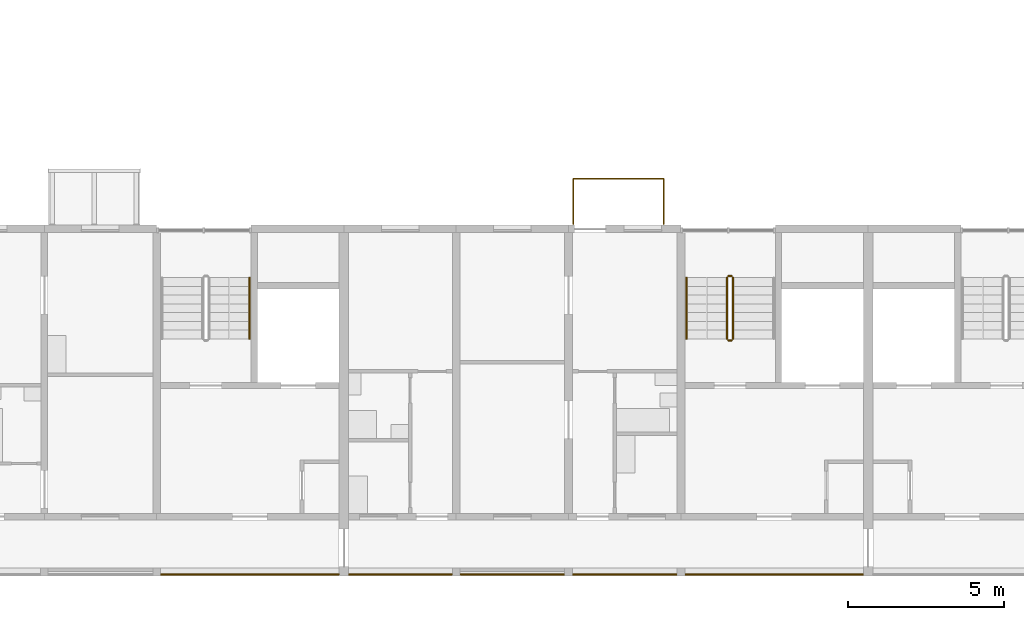
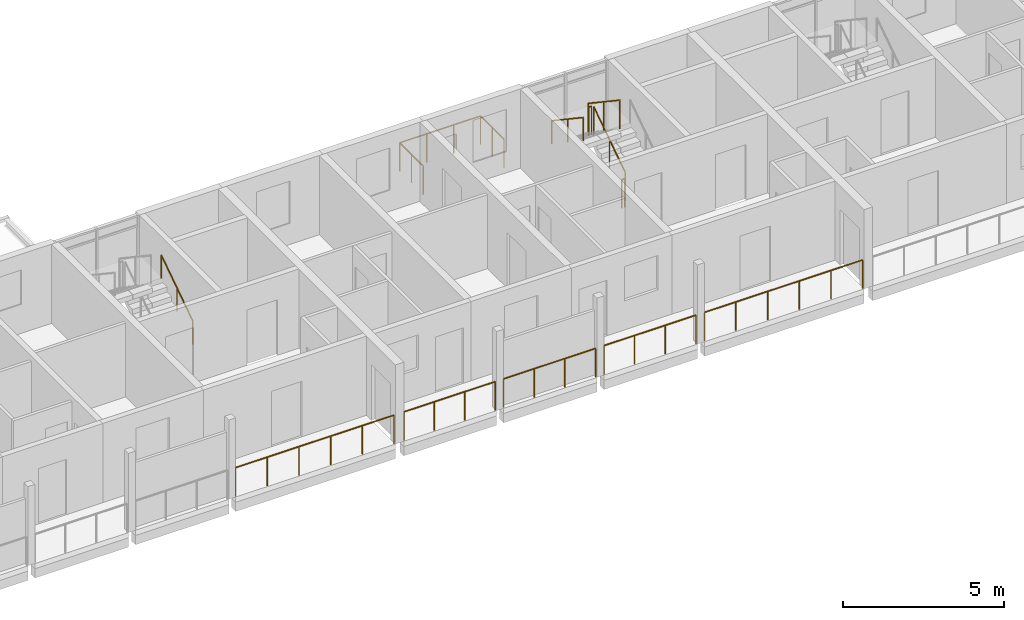
# One storey, part 83 of 99: 12 railings.
"""IFC4 building model written with IfcOpenShell, lengths in metres."""

from ifc_helpers import new_model, si_unit, direction, frame, origin, origin_2d, place, context, subcontext, project, spatial, circle, extrude, material, type_object, element, save


model = new_model("IFC4")

# Units and contexts
model_context = context("Model", 3, precision=1e-05, world=origin(), true_north=direction((0.0, 1.0)))
body_context = subcontext(model_context, "Body", "Model", "MODEL_VIEW")
ifc_project = project(units=[si_unit("LENGTHUNIT", "METRE"), si_unit("AREAUNIT", "SQUARE_METRE"), si_unit("VOLUMEUNIT", "CUBIC_METRE"), si_unit("PLANEANGLEUNIT", "RADIAN"), si_unit("MASSUNIT", "GRAM", prefix="KILO")], contexts=[model_context])

# Site, building, storey
site_placement = place(None, origin())
site = spatial("IfcSite", under=ifc_project, at=site_placement, CompositionType="ELEMENT")
building_placement = place(site_placement, origin())
building = spatial("IfcBuilding", under=site, at=building_placement, Name="Ridgestep Commons", CompositionType="ELEMENT")
storey_placement = place(building_placement, frame((0.0, 0.0, 15.0)))
storey = spatial("IfcBuildingStorey", under=building, at=storey_placement, Name="L05", CompositionType="ELEMENT", Elevation=15.0)

# Railings
ifc_material_1 = material(Name="Structural steel S355JR", Category="steel")
railing_type_1 = type_object("IfcRailingType", Name="Guard 1100", PredefinedType="GUARDRAIL", material=ifc_material_1)
railing_1_placement = place(storey_placement, frame((73.345947265625, 11.800048828125, 0.0)))
element("IfcRailing", 1, at=railing_1_placement, inside=storey, type_object=railing_type_1, Name="Gallery guard A 05.16", PredefinedType="GUARDRAIL", context=body_context, shape_type="SweptSolid", body=[
    extrude(circle(Radius=0.02392578125, at=origin_2d()), frame((0.0, 0.0, 1.076171875), z_axis=(1.0, 0.0, 0.0), x_axis=(0.0, 1.0, 0.0)), (0.0, 0.0, 1.0), 5.68310546875),
    extrude(circle(Radius=0.02099609375, at=origin_2d()), origin(), (0.0, 0.0, 1.0), 1.052001953125),
    extrude(circle(Radius=0.02099609375, at=origin_2d()), frame((1.13671875, 0.0, 0.0)), (0.0, 0.0, 1.0), 1.052001953125),
    extrude(circle(Radius=0.02099609375, at=origin_2d()), frame((2.273193359375, 0.0, 0.0)), (0.0, 0.0, 1.0), 1.052001953125),
    extrude(circle(Radius=0.02099609375, at=origin_2d()), frame((3.409912109375, 0.0, 0.0)), (0.0, 0.0, 1.0), 1.052001953125),
    extrude(circle(Radius=0.02099609375, at=origin_2d()), frame((4.54638671875, 0.0, 0.0)), (0.0, 0.0, 1.0), 1.052001953125),
    extrude(circle(Radius=0.02099609375, at=origin_2d()), frame((5.68310546875, 0.0, 0.0)), (0.0, 0.0, 1.0), 1.052001953125),
])
railing_2_placement = place(storey_placement, frame((79.37109375, 11.800048828125, 0.0)))
element("IfcRailing", 2, at=railing_2_placement, inside=storey, type_object=railing_type_1, Name="Gallery guard A 05.17", PredefinedType="GUARDRAIL", context=body_context, shape_type="SweptSolid", body=[
    extrude(circle(Radius=0.02392578125, at=origin_2d()), frame((0.0, 0.0, 1.076171875), z_axis=(1.0, 0.0, 0.0), x_axis=(0.0, 1.0, 0.0)), (0.0, 0.0, 1.0), 3.282958984375),
    extrude(circle(Radius=0.02099609375, at=origin_2d()), origin(), (0.0, 0.0, 1.0), 1.052001953125),
    extrude(circle(Radius=0.02099609375, at=origin_2d()), frame((1.09423828125, 0.0, 0.0)), (0.0, 0.0, 1.0), 1.052001953125),
    extrude(circle(Radius=0.02099609375, at=origin_2d()), frame((2.188720703125, 0.0, 0.0)), (0.0, 0.0, 1.0), 1.052001953125),
    extrude(circle(Radius=0.02099609375, at=origin_2d()), frame((3.282958984375, 0.0, 0.0)), (0.0, 0.0, 1.0), 1.052001953125),
])
railing_3_placement = place(storey_placement, frame((82.946044921875, 11.800048828125, 0.0)))
element("IfcRailing", 3, at=railing_3_placement, inside=storey, type_object=railing_type_1, Name="Gallery guard A 05.18", PredefinedType="GUARDRAIL", context=body_context, shape_type="SweptSolid", body=[
    extrude(circle(Radius=0.02392578125, at=origin_2d()), frame((0.0, 0.0, 1.076171875), z_axis=(1.0, 0.0, 0.0), x_axis=(0.0, 1.0, 0.0)), (0.0, 0.0, 1.0), 3.307861328125),
    extrude(circle(Radius=0.02099609375, at=origin_2d()), origin(), (0.0, 0.0, 1.0), 1.052001953125),
    extrude(circle(Radius=0.02099609375, at=origin_2d()), frame((1.1025390625, 0.0, 0.0)), (0.0, 0.0, 1.0), 1.052001953125),
    extrude(circle(Radius=0.02099609375, at=origin_2d()), frame((2.205322265625, 0.0, 0.0)), (0.0, 0.0, 1.0), 1.052001953125),
    extrude(circle(Radius=0.02099609375, at=origin_2d()), frame((3.307861328125, 0.0, 0.0)), (0.0, 0.0, 1.0), 1.052001953125),
])
railing_4_placement = place(storey_placement, frame((86.5458984375, 11.800048828125, 0.0)))
element("IfcRailing", 4, at=railing_4_placement, inside=storey, type_object=railing_type_1, Name="Gallery guard A 05.19", PredefinedType="GUARDRAIL", context=body_context, shape_type="SweptSolid", body=[
    extrude(circle(Radius=0.02392578125, at=origin_2d()), frame((0.0, 0.0, 1.076171875), z_axis=(1.0, 0.0, 0.0), x_axis=(0.0, 1.0, 0.0)), (0.0, 0.0, 1.0), 3.30810546875),
    extrude(circle(Radius=0.02099609375, at=origin_2d()), origin(), (0.0, 0.0, 1.0), 1.052001953125),
    extrude(circle(Radius=0.02099609375, at=origin_2d()), frame((1.102783203125, 0.0, 0.0)), (0.0, 0.0, 1.0), 1.052001953125),
    extrude(circle(Radius=0.02099609375, at=origin_2d()), frame((2.205322265625, 0.0, 0.0)), (0.0, 0.0, 1.0), 1.052001953125),
    extrude(circle(Radius=0.02099609375, at=origin_2d()), frame((3.30810546875, 0.0, 0.0)), (0.0, 0.0, 1.0), 1.052001953125),
])
railing_5_placement = place(storey_placement, frame((90.14599609375, 11.800048828125, 0.0)))
element("IfcRailing", 5, at=railing_5_placement, inside=storey, type_object=railing_type_1, Name="Gallery guard A 05.20", PredefinedType="GUARDRAIL", context=body_context, shape_type="SweptSolid", body=[
    extrude(circle(Radius=0.02392578125, at=origin_2d()), frame((0.0, 0.0, 1.076171875), z_axis=(1.0, 0.0, 0.0), x_axis=(0.0, 1.0, 0.0)), (0.0, 0.0, 1.0), 5.68310546875),
    extrude(circle(Radius=0.02099609375, at=origin_2d()), origin(), (0.0, 0.0, 1.0), 1.052001953125),
    extrude(circle(Radius=0.02099609375, at=origin_2d()), frame((1.13671875, 0.0, 0.0)), (0.0, 0.0, 1.0), 1.052001953125),
    extrude(circle(Radius=0.02099609375, at=origin_2d()), frame((2.273193359375, 0.0, 0.0)), (0.0, 0.0, 1.0), 1.052001953125),
    extrude(circle(Radius=0.02099609375, at=origin_2d()), frame((3.409912109375, 0.0, 0.0)), (0.0, 0.0, 1.0), 1.052001953125),
    extrude(circle(Radius=0.02099609375, at=origin_2d()), frame((4.54638671875, 0.0, 0.0)), (0.0, 0.0, 1.0), 1.052001953125),
    extrude(circle(Radius=0.02099609375, at=origin_2d()), frame((5.68310546875, 0.0, 0.0)), (0.0, 0.0, 1.0), 1.052001953125),
])
ifc_material_2 = material(Name="Structural steel S355JR", Category="steel")
railing_type_2 = type_object("IfcRailingType", Name="Stair guard 1100", PredefinedType="GUARDRAIL", material=ifc_material_2)
railing_6_placement = place(storey_placement, frame((91.675048828125, 19.35009765625, 0.1875)))
element("IfcRailing", 6, at=railing_6_placement, inside=storey, type_object=railing_type_2, Name="L05 A5C stair guard 1", PredefinedType="GUARDRAIL", context=body_context, shape_type="SweptSolid", body=[
    extrude(circle(Radius=0.02392578125, at=origin_2d()), frame((0.0, 0.0, 1.076171875), z_axis=(0.0, 0.830902050051, 0.556418712142), x_axis=(-1.0, 0.0, 0.0)), (0.0, 0.0, 1.0), 2.35888671875),
    extrude(circle(Radius=0.02099609375, at=origin_2d()), origin(), (0.0, 0.0, 1.0), 1.052001953125),
    extrude(circle(Radius=0.02099609375, at=origin_2d()), frame((0.0, 0.97998046875, 0.65625)), (0.0, 0.0, 1.0), 1.052001953125),
    extrude(circle(Radius=0.02099609375, at=origin_2d()), frame((0.0, 1.9599609375, 1.3125)), (0.0, 0.0, 1.0), 1.052001953125),
])
railing_7_placement = place(storey_placement, frame((91.625, 21.360107421875, 1.5)))
element("IfcRailing", 7, at=railing_7_placement, inside=storey, type_object=railing_type_2, Name="L05 A5C stair guard 2", PredefinedType="GUARDRAIL", context=body_context, shape_type="SweptSolid", body=[
    extrude(circle(Radius=0.02392578125, at=origin_2d()), frame((0.0, 0.0, 1.076171875), z_axis=(-1.0, 0.0, 0.0), x_axis=(0.0, -1.0, 0.0)), (0.0, 0.0, 1.0), 0.10009765625),
    extrude(circle(Radius=0.02099609375, at=origin_2d()), origin(), (0.0, 0.0, 1.0), 1.052001953125),
    extrude(circle(Radius=0.02099609375, at=origin_2d()), frame((-0.10009765625, 0.0, 0.0)), (0.0, 0.0, 1.0), 1.052001953125),
])
railing_8_placement = place(storey_placement, frame((91.47509765625, 21.31005859375, 1.6875)))
element("IfcRailing", 8, at=railing_8_placement, inside=storey, type_object=railing_type_2, Name="L05 A5C stair guard 3", PredefinedType="GUARDRAIL", context=body_context, shape_type="SweptSolid", body=[
    extrude(circle(Radius=0.02392578125, at=origin_2d()), frame((0.0, 0.0, 1.076171875), z_axis=(0.0, -0.830902050051, 0.556418712142), x_axis=(1.0, 0.0, 0.0)), (0.0, 0.0, 1.0), 2.35888671875),
    extrude(circle(Radius=0.02099609375, at=origin_2d()), origin(), (0.0, 0.0, 1.0), 1.052001953125),
    extrude(circle(Radius=0.02099609375, at=origin_2d()), frame((0.0, -0.97998046875, 0.65625)), (0.0, 0.0, 1.0), 1.052001953125),
    extrude(circle(Radius=0.02099609375, at=origin_2d()), frame((0.0, -1.9599609375, 1.3125)), (0.0, 0.0, 1.0), 1.052001953125),
])
railing_9_placement = place(storey_placement, frame((91.625, 19.300048828125, 0.0)))
element("IfcRailing", 9, at=railing_9_placement, inside=storey, type_object=railing_type_2, Name="L05 A5C stair guard 4", PredefinedType="GUARDRAIL", context=body_context, shape_type="SweptSolid", body=[
    extrude(circle(Radius=0.02392578125, at=origin_2d()), frame((0.0, 0.0, 1.076171875), z_axis=(-1.0, 0.0, 0.0), x_axis=(0.0, -1.0, 0.0)), (0.0, 0.0, 1.0), 0.10009765625),
    extrude(circle(Radius=0.02099609375, at=origin_2d()), origin(), (0.0, 0.0, 1.0), 1.052001953125),
    extrude(circle(Radius=0.02099609375, at=origin_2d()), frame((-0.10009765625, 0.0, 0.0)), (0.0, 0.0, 1.0), 1.052001953125),
])
ifc_material_3 = material(Name="Structural steel S355JR", Category="steel")
railing_type_3 = type_object("IfcRailingType", Name="Stair handrail 900", PredefinedType="HANDRAIL", material=ifc_material_3)
railing_10_placement = place(storey_placement, frame((76.175048828125, 19.35009765625, 0.1875)))
element("IfcRailing", 10, at=railing_10_placement, inside=storey, type_object=railing_type_3, Name="L05 A4C stair handrail 1", PredefinedType="HANDRAIL", context=body_context, shape_type="SweptSolid", body=[
    extrude(circle(Radius=0.02392578125, at=origin_2d()), frame((0.0, 0.0, 0.8759765625), z_axis=(0.0, 0.830902050051, 0.556418712142), x_axis=(-1.0, 0.0, 0.0)), (0.0, 0.0, 1.0), 2.35888671875),
    extrude(circle(Radius=0.02099609375, at=origin_2d()), origin(), (0.0, 0.0, 1.0), 0.851806640625),
    extrude(circle(Radius=0.02099609375, at=origin_2d()), frame((0.0, 0.97998046875, 0.65625)), (0.0, 0.0, 1.0), 0.851806640625),
    extrude(circle(Radius=0.02099609375, at=origin_2d()), frame((0.0, 1.9599609375, 1.3125)), (0.0, 0.0, 1.0), 0.851806640625),
])
railing_11_placement = place(storey_placement, frame((90.175048828125, 21.31005859375, 1.6875)))
element("IfcRailing", 11, at=railing_11_placement, inside=storey, type_object=railing_type_3, Name="L05 A5C stair handrail 2", PredefinedType="HANDRAIL", context=body_context, shape_type="SweptSolid", body=[
    extrude(circle(Radius=0.02392578125, at=origin_2d()), frame((0.0, 0.0, 0.8759765625), z_axis=(0.0, -0.830902050051, 0.556418712142), x_axis=(1.0, 0.0, 0.0)), (0.0, 0.0, 1.0), 2.35888671875),
    extrude(circle(Radius=0.02099609375, at=origin_2d()), origin(), (0.0, 0.0, 1.0), 0.851806640625),
    extrude(circle(Radius=0.02099609375, at=origin_2d()), frame((0.0, -0.97998046875, 0.65625)), (0.0, 0.0, 1.0), 0.851806640625),
    extrude(circle(Radius=0.02099609375, at=origin_2d()), frame((0.0, -1.9599609375, 1.3125)), (0.0, 0.0, 1.0), 0.851806640625),
])
ifc_material_4 = material(Name="Weathering steel S355J2W", Category="steel")
railing_type_4 = type_object("IfcRailingType", Name="Tray guard 1100", PredefinedType="GUARDRAIL", material=ifc_material_4)
railing_12_placement = place(storey_placement, frame((86.551025390625, 23.02099609375, 0.0)))
element("IfcRailing", 12, at=railing_12_placement, inside=storey, type_object=railing_type_4, Name="Tray guard A5T3-05", PredefinedType="GUARDRAIL", context=body_context, shape_type="SweptSolid", body=[
    extrude(circle(Radius=0.02392578125, at=origin_2d()), frame((0.0, 0.0, 1.076171875), z_axis=(0.0, 1.0, 0.0), x_axis=(-1.0, 0.0, 0.0)), (0.0, 0.0, 1.0), 1.4580078125),
    extrude(circle(Radius=0.02392578125, at=origin_2d()), frame((0.0, 1.4580078125, 1.076171875), z_axis=(1.0, 0.0, 0.0), x_axis=(0.0, 1.0, 0.0)), (0.0, 0.0, 1.0), 2.89794921875),
    extrude(circle(Radius=0.02392578125, at=origin_2d()), frame((2.89794921875, 1.4580078125, 1.076171875), z_axis=(0.0, -1.0, 0.0), x_axis=(1.0, 0.0, 0.0)), (0.0, 0.0, 1.0), 1.4580078125),
    extrude(circle(Radius=0.02099609375, at=origin_2d()), origin(), (0.0, 0.0, 1.0), 1.052001953125),
    extrude(circle(Radius=0.02099609375, at=origin_2d()), frame((0.0, 0.72900390625, 0.0)), (0.0, 0.0, 1.0), 1.052001953125),
    extrude(circle(Radius=0.02099609375, at=origin_2d()), frame((0.0, 1.4580078125, 0.0)), (0.0, 0.0, 1.0), 1.052001953125),
    extrude(circle(Radius=0.02099609375, at=origin_2d()), frame((0.966064453125, 1.4580078125, 0.0)), (0.0, 0.0, 1.0), 1.052001953125),
    extrude(circle(Radius=0.02099609375, at=origin_2d()), frame((1.931884765625, 1.4580078125, 0.0)), (0.0, 0.0, 1.0), 1.052001953125),
    extrude(circle(Radius=0.02099609375, at=origin_2d()), frame((2.89794921875, 1.4580078125, 0.0)), (0.0, 0.0, 1.0), 1.052001953125),
    extrude(circle(Radius=0.02099609375, at=origin_2d()), frame((2.89794921875, 0.72900390625, 0.0)), (0.0, 0.0, 1.0), 1.052001953125),
    extrude(circle(Radius=0.02099609375, at=origin_2d()), frame((2.89794921875, 0.0, 0.0)), (0.0, 0.0, 1.0), 1.052001953125),
])

save(model, "model.ifc")
